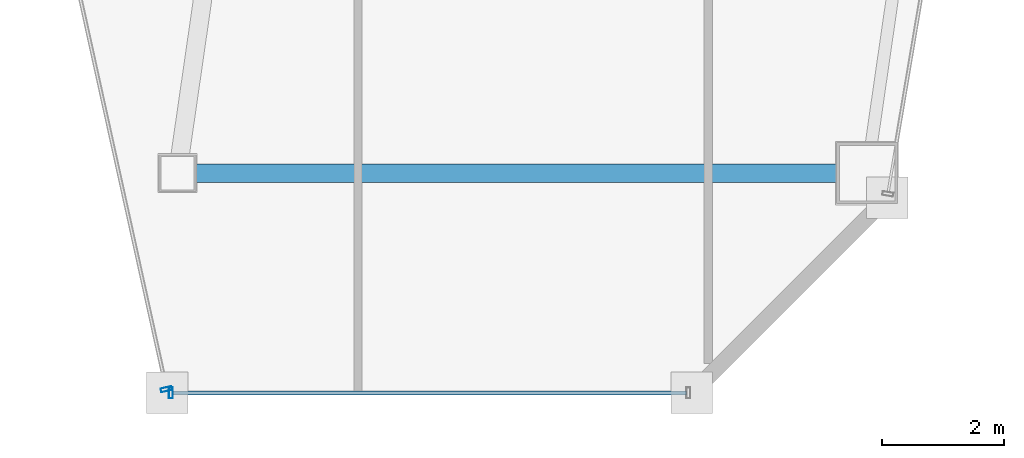
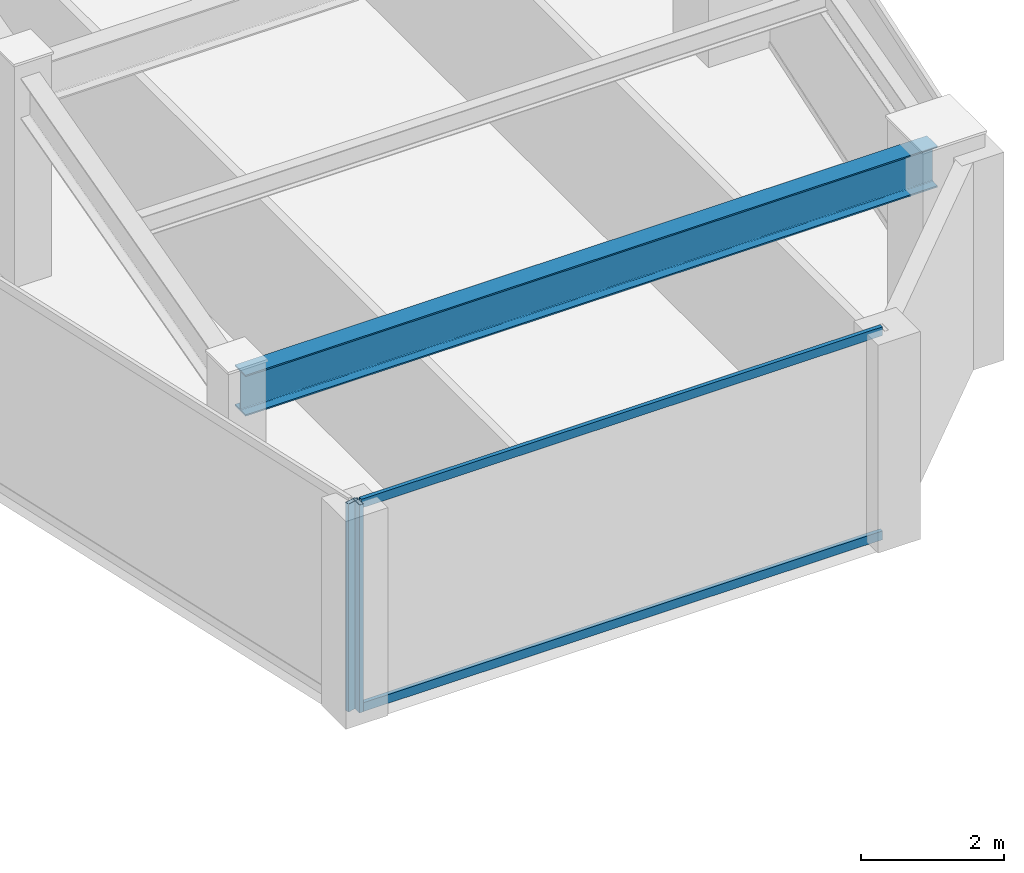
# One storey, part 15 of 35: 4 members, 1 beam, 2 elements without a shape of their own.
"""IFC4 building model written with IfcOpenShell, lengths in metres."""

from ifc_helpers import new_model, si_unit, direction, frame, origin, origin_2d, place, context, subcontext, project, spatial, hollow_rectangle, i_section, extrude, material, material_profile, profile_set, type_object, element, aggregate, save


model = new_model("IFC4")

# Units and contexts
model_context = context("Model", 3, precision=1e-05, world=origin(), true_north=direction((0.0, 1.0)))
body_context = subcontext(model_context, "Body", "Model", "MODEL_VIEW")
ifc_project = project(units=[si_unit("LENGTHUNIT", "METRE"), si_unit("AREAUNIT", "SQUARE_METRE"), si_unit("VOLUMEUNIT", "CUBIC_METRE"), si_unit("PLANEANGLEUNIT", "RADIAN"), si_unit("MASSUNIT", "GRAM", prefix="KILO")], contexts=[model_context])

# Site, building, storey
site_placement = place(None, origin())
site = spatial("IfcSite", under=ifc_project, at=site_placement, CompositionType="ELEMENT")
building_placement = place(site_placement, origin())
building = spatial("IfcBuilding", under=site, at=building_placement, Name="Saevonmaru Cultural Tower", CompositionType="ELEMENT")
storey_placement = place(building_placement, frame((0.0, 0.0, 179.0)))
storey = spatial("IfcBuildingStorey", under=building, at=storey_placement, Name="L40", CompositionType="ELEMENT", Elevation=179.0)

# Beam
ifc_material_1 = material(Name="Steel SM355", Category="steel")
ifc_material_profile_1 = material_profile(ifc_material_1, i_section(OverallWidth=0.300048828125, OverallDepth=0.699951171875, WebThickness=0.012939453125, FlangeThickness=0.02392578125, FilletRadius=0.02587890625, at=origin_2d()), Name="H-700x300x13x24")
ifc_profile_set_1 = profile_set([ifc_material_profile_1], Name="Steel SM355")
beam_type = type_object("IfcBeamType", Name="BM-G-H700", PredefinedType="BEAM", material=ifc_profile_set_1)
beam_placement = place(storey_placement, frame((38.132080078125, 16.0, 3.199951171875), z_axis=(1.0, 0.0, 0.0), x_axis=(0.0, 1.0, 0.0)))
element("IfcBeam", 1, at=beam_placement, inside=storey, type_object=beam_type, Name="L40 East Wing Transverse Girder 1", PredefinedType="BEAM", context=body_context, shape_type="SweptSolid", body=[
    extrude(i_section(OverallWidth=0.300048828125, OverallDepth=0.699951171875, WebThickness=0.012939453125, FlangeThickness=0.02392578125, FilletRadius=0.02587890625, at=origin_2d()), origin(), (0.0, 0.0, 1.0), 11.179931640625),
])

# Curtain wall, member
ifc_material_2 = material(Name="Satin Bronze Anodised Aluminium", Category="aluminium")
curtain_wall_type = type_object("IfcCurtainWallType", Name="CW-TYP-B", PredefinedType="NOTDEFINED", material=ifc_material_2)
curtain_wall_1_placement = place(storey_placement, origin())
curtain_wall_1 = element("IfcCurtainWall", 2, at=curtain_wall_1_placement, inside=storey, type_object=curtain_wall_type, Name="L40 Unitised Curtain Wall E5", PredefinedType="NOTDEFINED")
ifc_material_profile_2 = material_profile(ifc_material_2, hollow_rectangle(XDim=0.06494140625, YDim=0.179931640625, WallThickness=0.00390625, at=origin_2d()), Name="ALU-MULL-180x65x4")
ifc_profile_set_2 = profile_set([ifc_material_profile_2], Name="Satin Bronze Anodised Aluminium")
member_type_1 = type_object("IfcMemberType", Name="ML-CW-180x65", PredefinedType="MULLION", material=ifc_profile_set_2)
member_1_placement = place(storey_placement, frame((37.889404296875, 12.45849609375, 0.0), z_axis=(0.0, 0.0, 1.0), x_axis=(0.215413319953, -0.976522965212, 0.0)))
member_1 = element("IfcMember", 3, at=member_1_placement, type_object=member_type_1, Name="CW-TW-L40-E5 mullion 2", PredefinedType="MULLION", context=body_context, shape_type="SweptSolid", body=[
    extrude(hollow_rectangle(XDim=0.06494140625, YDim=0.179931640625, WallThickness=0.00390625, at=origin_2d()), origin(), (0.0, 0.0, 1.0), 3.550048828125),
])
aggregate(curtain_wall_1, [member_1])

# Curtain wall, members
curtain_wall_2_placement = place(storey_placement, origin())
curtain_wall_2 = element("IfcCurtainWall", 4, at=curtain_wall_2_placement, inside=storey, type_object=curtain_wall_type, Name="L40 Unitised Curtain Wall E6", PredefinedType="NOTDEFINED")
member_2_placement = place(storey_placement, frame((37.962158203125, 12.39990234375, 0.0), z_axis=(0.0, 0.0, 1.0), x_axis=(1.0, 0.0, 0.0)))
member_2 = element("IfcMember", 5, at=member_2_placement, type_object=member_type_1, Name="CW-TW-L40-E6 mullion 1", PredefinedType="MULLION", context=body_context, shape_type="SweptSolid", body=[
    extrude(hollow_rectangle(XDim=0.06494140625, YDim=0.179931640625, WallThickness=0.00390625, at=origin_2d()), origin(), (0.0, 0.0, 1.0), 3.550048828125),
])
ifc_material_profile_3 = material_profile(ifc_material_2, hollow_rectangle(XDim=0.06494140625, YDim=0.14990234375, WallThickness=0.00390625, at=origin_2d()), Name="ALU-TRAN-150x65x4")
ifc_profile_set_3 = profile_set([ifc_material_profile_3], Name="Satin Bronze Anodised Aluminium")
member_type_2 = type_object("IfcMemberType", Name="TR-CW-150x65", PredefinedType="USERDEFINED", material=ifc_profile_set_3)
member_3_placement = place(storey_placement, frame((37.99462890625, 12.39990234375, 0.032470703125), z_axis=(1.0, 0.0, 0.0), x_axis=(0.0, 1.0, 0.0)))
member_3 = element("IfcMember", 6, at=member_3_placement, type_object=member_type_2, Name="CW-TW-L40-E6 transom 1.1", ObjectType="TRANSOM", PredefinedType="USERDEFINED", context=body_context, shape_type="SweptSolid", body=[
    extrude(hollow_rectangle(XDim=0.06494140625, YDim=0.14990234375, WallThickness=0.00390625, at=origin_2d()), origin(), (0.0, 0.0, 1.0), 8.4150390625),
])
member_4_placement = place(storey_placement, frame((37.99462890625, 12.39990234375, 3.517578125), z_axis=(1.0, 0.0, 0.0), x_axis=(0.0, 1.0, 0.0)))
member_4 = element("IfcMember", 7, at=member_4_placement, type_object=member_type_2, Name="CW-TW-L40-E6 transom 1.2", ObjectType="TRANSOM", PredefinedType="USERDEFINED", context=body_context, shape_type="SweptSolid", body=[
    extrude(hollow_rectangle(XDim=0.06494140625, YDim=0.14990234375, WallThickness=0.00390625, at=origin_2d()), origin(), (0.0, 0.0, 1.0), 8.4150390625),
])
aggregate(curtain_wall_2, [member_2, member_3, member_4])

save(model, "model.ifc")
